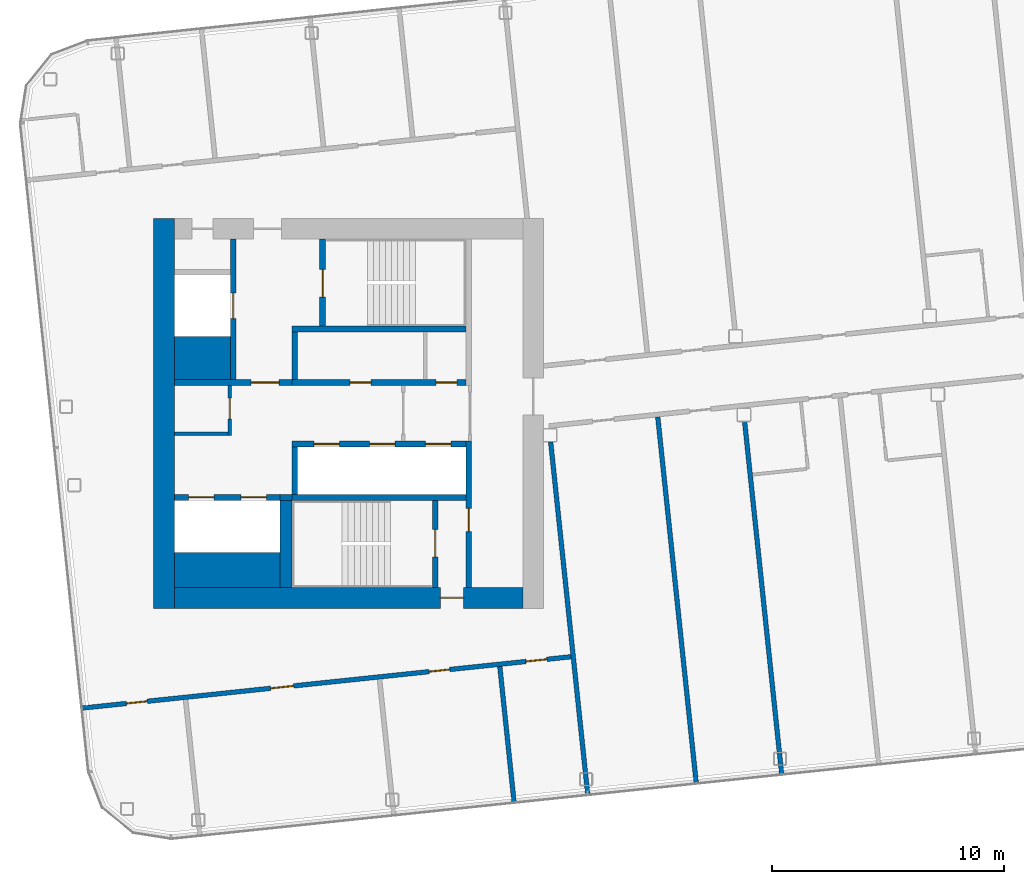
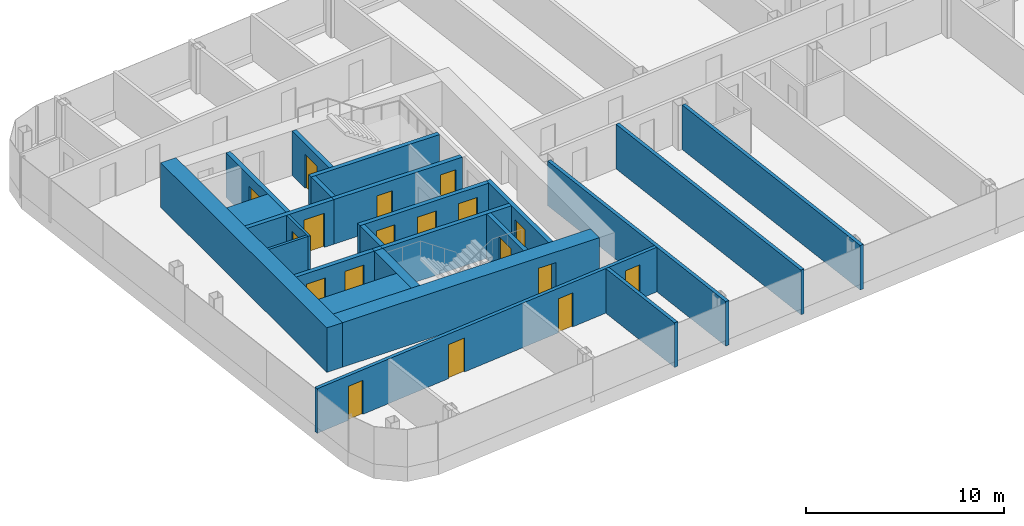
# One storey, part 14 of 27: 25 walls, 18 doors, 18 openings.
"""IFC4 building model written with IfcOpenShell, lengths in metres."""

from ifc_helpers import new_model, si_unit, direction, frame, frame_2d, origin, place, context, subcontext, project, spatial, rectangle, extrude, material, layer, layer_set, type_object, element, fill, save


model = new_model("IFC4")

# Units and contexts
model_context = context("Model", 3, precision=1e-05, world=origin(), true_north=direction((0.0, 1.0)))
body_context = subcontext(model_context, "Body", "Model", "MODEL_VIEW")
ifc_project = project(units=[si_unit("LENGTHUNIT", "METRE"), si_unit("AREAUNIT", "SQUARE_METRE"), si_unit("VOLUMEUNIT", "CUBIC_METRE"), si_unit("PLANEANGLEUNIT", "RADIAN"), si_unit("MASSUNIT", "GRAM", prefix="KILO")], contexts=[model_context])

# Site, building, storey
site_placement = place(None, origin())
site = spatial("IfcSite", under=ifc_project, at=site_placement, CompositionType="ELEMENT")
building_placement = place(site_placement, origin())
building = spatial("IfcBuilding", under=site, at=building_placement, Name="Hakoniwa Tower and Hamabe Station Hall", CompositionType="ELEMENT")
storey_placement = place(building_placement, frame((0.0, 0.0, 242.199951171875)))
storey = spatial("IfcBuildingStorey", under=building, at=storey_placement, Name="L68", CompositionType="ELEMENT", Elevation=242.199951171875)

# Wall, opening, door
ifc_material_1 = material(Name="Gypsum board partition")
ifc_layer_1 = layer(ifc_material_1, 0.14990234375)
ifc_layer_set_1 = layer_set([ifc_layer_1], Name="CORE PARTITION 150 EI 60")
wall_type_1 = type_object("IfcWallType", Name="CORE PARTITION 150 EI 60", PredefinedType="PARTITIONING", material=ifc_layer_set_1)
wall_1_placement = place(storey_placement, frame((-30.324951171875, -0.949951171875, 0.0), z_axis=(0.0, 0.0, 1.0), x_axis=(0.0, 1.0, 0.0)))
wall_1 = element("IfcWall", 1, at=wall_1_placement, inside=storey, type_object=wall_type_1, Name="Core partition PW0 west", PredefinedType="PARTITIONING", context=body_context, shape_type="SweptSolid", body=[
    extrude(rectangle(XDim=2.14990234375, YDim=0.14990234375, at=frame_2d((1.074951171875, 0.0))), origin(), (0.0, 0.0, 1.0), 2.75),
])
opening_1_placement = place(wall_1_placement, frame((0.699951171875, 0.0, 0.0)))
opening_1 = element("IfcOpeningElement", 2, at=opening_1_placement, cuts=wall_1, Name="Opening CD-W-RM1-9", PredefinedType="OPENING", context=body_context, shape_type="SweptSolid", body=[
    extrude(rectangle(XDim=0.89990234375, YDim=2.10009765625, at=frame_2d((0.449951171875, 1.050048828125))), frame((0.0, 0.0849609375, 0.0), z_axis=(0.0, -1.0, 0.0), x_axis=(1.0, 0.0, 0.0)), (0.0, 0.0, 1.0), 0.169921875),
])
ifc_material_2 = material(Name="Steel fire door", Category="steel")
door_type_1 = type_object("IfcDoorType", Name="CORE DOOR 900 FD30", OperationType="NOTDEFINED", PredefinedType="DOOR", material=ifc_material_2)
door_1_placement = place(opening_1_placement, origin())
door_1 = element("IfcDoor", 3, at=door_1_placement, inside=storey, type_object=door_type_1, Name="Store room door", OperationType="SINGLE_SWING_RIGHT", OverallHeight=2.10009765625, OverallWidth=0.89990234375, PredefinedType="DOOR", context=body_context, shape_type="SweptSolid", body=[
    extrude(rectangle(XDim=0.89990234375, YDim=2.10009765625, at=frame_2d((0.449951171875, 1.050048828125))), frame((0.0, 0.02490234375, 0.0), z_axis=(0.0, -1.0, 0.0), x_axis=(1.0, 0.0, 0.0)), (0.0, 0.0, 1.0), 0.050048828125),
])
fill(opening_1, door_1)

# Walls
wall_2_placement = place(storey_placement, frame((-32.699951171875, -0.875, 0.0), z_axis=(0.0, 0.0, 1.0), x_axis=(1.0, 0.0, 0.0)))
element("IfcWall", 4, at=wall_2_placement, inside=storey, type_object=wall_type_1, Name="Core partition PS west", PredefinedType="PARTITIONING", context=body_context, shape_type="SweptSolid", body=[
    extrude(rectangle(XDim=2.300048828125, YDim=0.14990234375, at=frame_2d((1.14990234375, 0.0))), origin(), (0.0, 0.0, 1.0), 2.75),
])
ifc_material_3 = material(Name="Concrete C60", Category="concrete")
ifc_layer_2 = layer(ifc_material_3, 0.89990234375)
ifc_layer_set_2 = layer_set([ifc_layer_2], Name="CORE WALL 900 C60")
wall_type_2 = type_object("IfcWallType", Name="CORE WALL 900 C60", PredefinedType="SHEAR", material=ifc_layer_set_2)
wall_3_placement = place(storey_placement, frame((-33.14990234375, -8.39990234375, 0.0), z_axis=(0.0, 0.0, 1.0), x_axis=(0.0, 1.0, 0.0)))
element("IfcWall", 5, at=wall_3_placement, inside=storey, type_object=wall_type_2, Name="Core wall OUTER west", PredefinedType="SHEAR", context=body_context, shape_type="SweptSolid", body=[
    extrude(rectangle(XDim=16.7998046875, YDim=0.89990234375, at=frame_2d((8.39990234375, 0.0))), origin(), (0.0, 0.0, 1.0), 2.75),
])

# Wall, opening, door
wall_4_placement = place(storey_placement, frame((-32.699951171875, -7.949951171875, 0.0), z_axis=(0.0, 0.0, 1.0), x_axis=(1.0, 0.0, 0.0)))
wall_4 = element("IfcWall", 6, at=wall_4_placement, inside=storey, type_object=wall_type_2, Name="Core wall SOUTH west", PredefinedType="SHEAR", context=body_context, shape_type="SweptSolid", body=[
    extrude(rectangle(XDim=15.0, YDim=0.89990234375, at=frame_2d((7.5, 0.0))), origin(), (0.0, 0.0, 1.0), 2.75),
])
opening_2_placement = place(wall_4_placement, frame((11.449951171875, 0.0, 0.0)))
opening_2 = element("IfcOpeningElement", 7, at=opening_2_placement, cuts=wall_4, Name="Opening CD-W-FS3-10", PredefinedType="OPENING", context=body_context, shape_type="SweptSolid", body=[
    extrude(rectangle(XDim=1.0, YDim=2.10009765625, at=frame_2d((0.5, 1.050048828125))), frame((0.0, 0.4599609375, 0.0), z_axis=(0.0, -1.0, 0.0), x_axis=(1.0, 0.0, 0.0)), (0.0, 0.0, 1.0), 0.919921875),
])
ifc_material_4 = material(Name="Steel fire door", Category="steel")
door_type_2 = type_object("IfcDoorType", Name="CORE DOOR 1000 FD60", OperationType="NOTDEFINED", PredefinedType="DOOR", material=ifc_material_4)
door_2_placement = place(opening_2_placement, origin())
door_2 = element("IfcDoor", 8, at=door_2_placement, inside=storey, type_object=door_type_2, Name="Stair vestibule door", OperationType="SINGLE_SWING_RIGHT", OverallHeight=2.10009765625, OverallWidth=1.0, PredefinedType="DOOR", context=body_context, shape_type="SweptSolid", body=[
    extrude(rectangle(XDim=1.0, YDim=2.10009765625, at=frame_2d((0.5, 1.050048828125))), frame((0.0, 0.02490234375, 0.0), z_axis=(0.0, -1.0, 0.0), x_axis=(1.0, 0.0, 0.0)), (0.0, 0.0, 1.0), 0.050048828125),
])
fill(opening_2, door_2)

# Walls
ifc_material_5 = material(Name="Concrete C60", Category="concrete")
ifc_layer_3 = layer(ifc_material_5, 1.5)
ifc_layer_set_3 = layer_set([ifc_layer_3], Name="CORE WEB WALL 1500 C60")
wall_type_3 = type_object("IfcWallType", Name="CORE WEB WALL 1500 C60", PredefinedType="SHEAR", material=ifc_layer_set_3)
wall_5_placement = place(storey_placement, frame((-32.699951171875, -6.75, 0.0), z_axis=(0.0, 0.0, 1.0), x_axis=(1.0, 0.0, 0.0)))
element("IfcWall", 9, at=wall_5_placement, inside=storey, type_object=wall_type_3, Name="Core wall SER west", PredefinedType="SHEAR", context=body_context, shape_type="SweptSolid", body=[
    extrude(rectangle(XDim=4.550048828125, YDim=1.5, at=frame_2d((2.27490234375, 0.0))), origin(), (0.0, 0.0, 1.0), 2.75),
])
ifc_material_6 = material(Name="Concrete C60", Category="concrete")
ifc_layer_4 = layer(ifc_material_6, 1.85009765625)
ifc_layer_set_4 = layer_set([ifc_layer_4], Name="CORE WEB WALL 1850 C60")
wall_type_4 = type_object("IfcWallType", Name="CORE WEB WALL 1850 C60", PredefinedType="SHEAR", material=ifc_layer_set_4)
wall_6_placement = place(storey_placement, frame((-32.699951171875, 2.375, 0.0), z_axis=(0.0, 0.0, 1.0), x_axis=(1.0, 0.0, 0.0)))
element("IfcWall", 10, at=wall_6_placement, inside=storey, type_object=wall_type_4, Name="Core wall CA west", PredefinedType="SHEAR", context=body_context, shape_type="SweptSolid", body=[
    extrude(rectangle(XDim=2.39990234375, YDim=1.85009765625, at=frame_2d((1.199951171875, 0.0))), origin(), (0.0, 0.0, 1.0), 2.75),
])

# Wall, opening, door
ifc_material_7 = material(Name="Concrete C60", Category="concrete")
ifc_layer_5 = layer(ifc_material_7, 0.25)
ifc_layer_set_5 = layer_set([ifc_layer_5], Name="CORE WEB WALL 250 C60")
wall_type_5 = type_object("IfcWallType", Name="CORE WEB WALL 250 C60", PredefinedType="SHEAR", material=ifc_layer_set_5)
wall_7_placement = place(storey_placement, frame((-20.02490234375, -7.5, 0.0), z_axis=(0.0, 0.0, 1.0), x_axis=(0.0, 1.0, 0.0)))
wall_7 = element("IfcWall", 11, at=wall_7_placement, inside=storey, type_object=wall_type_5, Name="Core wall W1S west", PredefinedType="SHEAR", context=body_context, shape_type="SweptSolid", body=[
    extrude(rectangle(XDim=6.300048828125, YDim=0.25, at=frame_2d((3.14990234375, 0.0))), origin(), (0.0, 0.0, 1.0), 2.75),
])
opening_3_placement = place(wall_7_placement, frame((2.39990234375, 0.0, 0.0)))
opening_3 = element("IfcOpeningElement", 12, at=opening_3_placement, cuts=wall_7, Name="Opening CD-W-VS-10", PredefinedType="OPENING", context=body_context, shape_type="SweptSolid", body=[
    extrude(rectangle(XDim=1.0, YDim=2.10009765625, at=frame_2d((0.5, 1.050048828125))), frame((0.0, 0.135009765625, 0.0), z_axis=(0.0, -1.0, 0.0), x_axis=(1.0, 0.0, 0.0)), (0.0, 0.0, 1.0), 0.27001953125),
])
door_3_placement = place(opening_3_placement, origin())
door_3 = element("IfcDoor", 13, at=door_3_placement, inside=storey, type_object=door_type_2, Name="Stair vestibule door", OperationType="SINGLE_SWING_LEFT", OverallHeight=2.10009765625, OverallWidth=1.0, PredefinedType="DOOR", context=body_context, shape_type="SweptSolid", body=[
    extrude(rectangle(XDim=1.0, YDim=2.10009765625, at=frame_2d((0.5, 1.050048828125))), frame((0.0, 0.02490234375, 0.0), z_axis=(0.0, -1.0, 0.0), x_axis=(1.0, 0.0, 0.0)), (0.0, 0.0, 1.0), 0.050048828125),
])
fill(opening_3, door_3)

# Wall, openings, doors
wall_8_placement = place(storey_placement, frame((-27.64990234375, 1.324951171875, 0.0), z_axis=(0.0, 0.0, 1.0), x_axis=(1.0, 0.0, 0.0)))
wall_8 = element("IfcWall", 14, at=wall_8_placement, inside=storey, type_object=wall_type_5, Name="Core wall NF west", PredefinedType="SHEAR", context=body_context, shape_type="SweptSolid", body=[
    extrude(rectangle(XDim=7.5, YDim=0.25, at=frame_2d((3.75, 0.0))), origin(), (0.0, 0.0, 1.0), 2.75),
])
opening_4_placement = place(wall_8_placement, frame((6.21240234375, 0.0, 0.0)))
opening_4 = element("IfcOpeningElement", 15, at=opening_4_placement, cuts=wall_8, Name="Opening CD-W-FRLR0-9", PredefinedType="OPENING", context=body_context, shape_type="SweptSolid", body=[
    extrude(rectangle(XDim=0.89990234375, YDim=2.10009765625, at=frame_2d((0.449951171875, 1.050048828125))), frame((0.0, 0.135009765625, 0.0), z_axis=(0.0, -1.0, 0.0), x_axis=(1.0, 0.0, 0.0)), (0.0, 0.0, 1.0), 0.27001953125),
])
opening_5_placement = place(wall_8_placement, frame((2.512451171875, 0.0, 0.0)))
opening_5 = element("IfcOpeningElement", 16, at=opening_5_placement, cuts=wall_8, Name="Opening CD-W-FRLR1-9", PredefinedType="OPENING", context=body_context, shape_type="SweptSolid", body=[
    extrude(rectangle(XDim=0.89990234375, YDim=2.10009765625, at=frame_2d((0.449951171875, 1.050048828125))), frame((0.0, 0.135009765625, 0.0), z_axis=(0.0, -1.0, 0.0), x_axis=(1.0, 0.0, 0.0)), (0.0, 0.0, 1.0), 0.27001953125),
])
door_4_placement = place(opening_4_placement, origin())
door_4 = element("IfcDoor", 17, at=door_4_placement, inside=storey, type_object=door_type_1, Name="Store room door", OperationType="SINGLE_SWING_RIGHT", OverallHeight=2.10009765625, OverallWidth=0.89990234375, PredefinedType="DOOR", context=body_context, shape_type="SweptSolid", body=[
    extrude(rectangle(XDim=0.89990234375, YDim=2.10009765625, at=frame_2d((0.449951171875, 1.050048828125))), frame((0.0, 0.02490234375, 0.0), z_axis=(0.0, -1.0, 0.0), x_axis=(1.0, 0.0, 0.0)), (0.0, 0.0, 1.0), 0.050048828125),
])
fill(opening_4, door_4)
door_5_placement = place(opening_5_placement, origin())
door_5 = element("IfcDoor", 18, at=door_5_placement, inside=storey, type_object=door_type_1, Name="Store room door", OperationType="SINGLE_SWING_LEFT", OverallHeight=2.10009765625, OverallWidth=0.89990234375, PredefinedType="DOOR", context=body_context, shape_type="SweptSolid", body=[
    extrude(rectangle(XDim=0.89990234375, YDim=2.10009765625, at=frame_2d((0.449951171875, 1.050048828125))), frame((0.0, 0.02490234375, 0.0), z_axis=(0.0, -1.0, 0.0), x_axis=(1.0, 0.0, 0.0)), (0.0, 0.0, 1.0), 0.050048828125),
])
fill(opening_5, door_5)

# Walls
wall_9_placement = place(storey_placement, frame((-27.52490234375, 1.449951171875, 0.0), z_axis=(0.0, 0.0, 1.0), x_axis=(0.0, 1.0, 0.0)))
element("IfcWall", 19, at=wall_9_placement, inside=storey, type_object=wall_type_5, Name="Core wall NE west", PredefinedType="SHEAR", context=body_context, shape_type="SweptSolid", body=[
    extrude(rectangle(XDim=2.050048828125, YDim=0.25, at=frame_2d((1.02490234375, 0.0))), origin(), (0.0, 0.0, 1.0), 2.75),
])
wall_10_placement = place(storey_placement, frame((-27.64990234375, 3.625, 0.0), z_axis=(0.0, 0.0, 1.0), x_axis=(1.0, 0.0, 0.0)))
element("IfcWall", 20, at=wall_10_placement, inside=storey, type_object=wall_type_5, Name="Core wall NR west", PredefinedType="SHEAR", context=body_context, shape_type="SweptSolid", body=[
    extrude(rectangle(XDim=7.5, YDim=0.25, at=frame_2d((3.75, 0.0))), origin(), (0.0, 0.0, 1.0), 2.75),
])

# Wall, opening, door
wall_11_placement = place(storey_placement, frame((-26.324951171875, 3.75, 0.0), z_axis=(0.0, 0.0, 1.0), x_axis=(0.0, 1.0, 0.0)))
wall_11 = element("IfcWall", 21, at=wall_11_placement, inside=storey, type_object=wall_type_5, Name="Core wall NSE west", PredefinedType="SHEAR", context=body_context, shape_type="SweptSolid", body=[
    extrude(rectangle(XDim=3.75, YDim=0.25, at=frame_2d((1.875, 0.0))), origin(), (0.0, 0.0, 1.0), 2.75),
])
opening_6_placement = place(wall_11_placement, frame((1.25, 0.0, 0.0)))
opening_6 = element("IfcOpeningElement", 22, at=opening_6_placement, cuts=wall_11, Name="Opening CD-W-SN-12", PredefinedType="OPENING", context=body_context, shape_type="SweptSolid", body=[
    extrude(rectangle(XDim=1.199951171875, YDim=2.10009765625, at=frame_2d((0.60009765625, 1.050048828125))), frame((0.0, 0.135009765625, 0.0), z_axis=(0.0, -1.0, 0.0), x_axis=(1.0, 0.0, 0.0)), (0.0, 0.0, 1.0), 0.27001953125),
])
ifc_material_8 = material(Name="Steel fire door", Category="steel")
door_type_3 = type_object("IfcDoorType", Name="CORE DOOR 1200 FD60", OperationType="DOUBLE_DOOR_SINGLE_SWING", PredefinedType="DOOR", material=ifc_material_8)
door_6_placement = place(opening_6_placement, origin())
door_6 = element("IfcDoor", 23, at=door_6_placement, inside=storey, type_object=door_type_3, Name="Escape stair door", OperationType="DOUBLE_DOOR_SINGLE_SWING", OverallHeight=2.10009765625, OverallWidth=1.199951171875, PredefinedType="DOOR", context=body_context, shape_type="SweptSolid", body=[
    extrude(rectangle(XDim=1.199951171875, YDim=2.10009765625, at=frame_2d((0.60009765625, 1.050048828125))), frame((0.0, 0.02490234375, 0.0), z_axis=(0.0, -1.0, 0.0), x_axis=(1.0, 0.0, 0.0)), (0.0, 0.0, 1.0), 0.050048828125),
])
fill(opening_6, door_6)

wall_12_placement = place(storey_placement, frame((-32.699951171875, 1.324951171875, 0.0), z_axis=(0.0, 0.0, 1.0), x_axis=(1.0, 0.0, 0.0)))
wall_12 = element("IfcWall", 24, at=wall_12_placement, inside=storey, type_object=wall_type_5, Name="Core wall ELN west", PredefinedType="SHEAR", context=body_context, shape_type="SweptSolid", body=[
    extrude(rectangle(XDim=5.050048828125, YDim=0.25, at=frame_2d((2.52490234375, 0.0))), origin(), (0.0, 0.0, 1.0), 2.75),
])
opening_7_placement = place(wall_12_placement, frame((3.300048828125, 0.0, 0.0)))
opening_7 = element("IfcOpeningElement", 25, at=opening_7_placement, cuts=wall_12, Name="Opening CD-W-FL-12", PredefinedType="OPENING", context=body_context, shape_type="SweptSolid", body=[
    extrude(rectangle(XDim=1.199951171875, YDim=2.10009765625, at=frame_2d((0.60009765625, 1.050048828125))), frame((0.0, 0.135009765625, 0.0), z_axis=(0.0, -1.0, 0.0), x_axis=(1.0, 0.0, 0.0)), (0.0, 0.0, 1.0), 0.27001953125),
])
door_7_placement = place(opening_7_placement, origin())
door_7 = element("IfcDoor", 26, at=door_7_placement, inside=storey, type_object=door_type_3, Name="Stair vestibule door to the fire-fighting lobby", OperationType="DOUBLE_DOOR_SINGLE_SWING", OverallHeight=2.10009765625, OverallWidth=1.199951171875, PredefinedType="DOOR", context=body_context, shape_type="SweptSolid", body=[
    extrude(rectangle(XDim=1.199951171875, YDim=2.10009765625, at=frame_2d((0.60009765625, 1.050048828125))), frame((0.0, 0.02490234375, 0.0), z_axis=(0.0, -1.0, 0.0), x_axis=(1.0, 0.0, 0.0)), (0.0, 0.0, 1.0), 0.050048828125),
])
fill(opening_7, door_7)

wall_13_placement = place(storey_placement, frame((-30.175048828125, 1.449951171875, 0.0), z_axis=(0.0, 0.0, 1.0), x_axis=(0.0, 1.0, 0.0)))
wall_13 = element("IfcWall", 27, at=wall_13_placement, inside=storey, type_object=wall_type_5, Name="Core wall FFF west", PredefinedType="SHEAR", context=body_context, shape_type="SweptSolid", body=[
    extrude(rectangle(XDim=6.050048828125, YDim=0.25, at=frame_2d((3.02490234375, 0.0))), origin(), (0.0, 0.0, 1.0), 2.75),
])
opening_8_placement = place(wall_13_placement, frame((2.625, 0.0, 0.0)))
opening_8 = element("IfcOpeningElement", 28, at=opening_8_placement, cuts=wall_13, Name="Opening LD-FF1", PredefinedType="OPENING", context=body_context, shape_type="SweptSolid", body=[
    extrude(rectangle(XDim=1.10009765625, YDim=2.10009765625, at=frame_2d((0.550048828125, 1.050048828125))), frame((0.0, 0.135009765625, 0.0), z_axis=(0.0, -1.0, 0.0), x_axis=(1.0, 0.0, 0.0)), (0.0, 0.0, 1.0), 0.27001953125),
])
ifc_material_9 = material(Name="Stainless steel SUS304", Category="steel")
door_type_4 = type_object("IfcDoorType", Name="LIFT LANDING DOOR 1100 FD60", OperationType="DOUBLE_DOOR_SLIDING", PredefinedType="DOOR", material=ifc_material_9)
door_8_placement = place(opening_8_placement, origin())
door_8 = element("IfcDoor", 29, at=door_8_placement, inside=storey, type_object=door_type_4, Name="Lift landing door FF1 L68", OperationType="DOUBLE_DOOR_SLIDING", OverallHeight=2.10009765625, OverallWidth=1.10009765625, PredefinedType="DOOR", context=body_context, shape_type="SweptSolid", body=[
    extrude(rectangle(XDim=1.10009765625, YDim=2.10009765625, at=frame_2d((0.550048828125, 1.050048828125))), frame((0.0, 0.02490234375, 0.0), z_axis=(0.0, -1.0, 0.0), x_axis=(1.0, 0.0, 0.0)), (0.0, 0.0, 1.0), 0.050048828125),
])
fill(opening_8, door_8)

# Wall, openings, doors
wall_14_placement = place(storey_placement, frame((-27.64990234375, -1.324951171875, 0.0), z_axis=(0.0, 0.0, 1.0), x_axis=(1.0, 0.0, 0.0)))
wall_14 = element("IfcWall", 30, at=wall_14_placement, inside=storey, type_object=wall_type_5, Name="Core wall SF west", PredefinedType="SHEAR", context=body_context, shape_type="SweptSolid", body=[
    extrude(rectangle(XDim=7.5, YDim=0.25, at=frame_2d((3.75, 0.0))), origin(), (0.0, 0.0, 1.0), 2.75),
])
opening_9_placement = place(wall_14_placement, frame((5.75, 0.0, 0.0)))
opening_9 = element("IfcOpeningElement", 31, at=opening_9_placement, cuts=wall_14, Name="Opening LD-HR1", PredefinedType="OPENING", context=body_context, shape_type="SweptSolid", body=[
    extrude(rectangle(XDim=1.10009765625, YDim=2.10009765625, at=frame_2d((0.550048828125, 1.050048828125))), frame((0.0, 0.135009765625, 0.0), z_axis=(0.0, -1.0, 0.0), x_axis=(1.0, 0.0, 0.0)), (0.0, 0.0, 1.0), 0.27001953125),
])
opening_10_placement = place(wall_14_placement, frame((3.35009765625, 0.0, 0.0)))
opening_10 = element("IfcOpeningElement", 32, at=opening_10_placement, cuts=wall_14, Name="Opening LD-HR2", PredefinedType="OPENING", context=body_context, shape_type="SweptSolid", body=[
    extrude(rectangle(XDim=1.10009765625, YDim=2.10009765625, at=frame_2d((0.550048828125, 1.050048828125))), frame((0.0, 0.135009765625, 0.0), z_axis=(0.0, -1.0, 0.0), x_axis=(1.0, 0.0, 0.0)), (0.0, 0.0, 1.0), 0.27001953125),
])
opening_11_placement = place(wall_14_placement, frame((0.949951171875, 0.0, 0.0)))
opening_11 = element("IfcOpeningElement", 33, at=opening_11_placement, cuts=wall_14, Name="Opening LD-HR3", PredefinedType="OPENING", context=body_context, shape_type="SweptSolid", body=[
    extrude(rectangle(XDim=1.10009765625, YDim=2.10009765625, at=frame_2d((0.550048828125, 1.050048828125))), frame((0.0, 0.135009765625, 0.0), z_axis=(0.0, -1.0, 0.0), x_axis=(1.0, 0.0, 0.0)), (0.0, 0.0, 1.0), 0.27001953125),
])
door_9_placement = place(opening_9_placement, origin())
door_9 = element("IfcDoor", 34, at=door_9_placement, inside=storey, type_object=door_type_4, Name="Lift landing door HR1 L68", OperationType="DOUBLE_DOOR_SLIDING", OverallHeight=2.10009765625, OverallWidth=1.10009765625, PredefinedType="DOOR", context=body_context, shape_type="SweptSolid", body=[
    extrude(rectangle(XDim=1.10009765625, YDim=2.10009765625, at=frame_2d((0.550048828125, 1.050048828125))), frame((0.0, 0.02490234375, 0.0), z_axis=(0.0, -1.0, 0.0), x_axis=(1.0, 0.0, 0.0)), (0.0, 0.0, 1.0), 0.050048828125),
])
fill(opening_9, door_9)
door_10_placement = place(opening_10_placement, origin())
door_10 = element("IfcDoor", 35, at=door_10_placement, inside=storey, type_object=door_type_4, Name="Lift landing door HR2 L68", OperationType="DOUBLE_DOOR_SLIDING", OverallHeight=2.10009765625, OverallWidth=1.10009765625, PredefinedType="DOOR", context=body_context, shape_type="SweptSolid", body=[
    extrude(rectangle(XDim=1.10009765625, YDim=2.10009765625, at=frame_2d((0.550048828125, 1.050048828125))), frame((0.0, 0.02490234375, 0.0), z_axis=(0.0, -1.0, 0.0), x_axis=(1.0, 0.0, 0.0)), (0.0, 0.0, 1.0), 0.050048828125),
])
fill(opening_10, door_10)
door_11_placement = place(opening_11_placement, origin())
door_11 = element("IfcDoor", 36, at=door_11_placement, inside=storey, type_object=door_type_4, Name="Lift landing door HR3 L68", OperationType="DOUBLE_DOOR_SLIDING", OverallHeight=2.10009765625, OverallWidth=1.10009765625, PredefinedType="DOOR", context=body_context, shape_type="SweptSolid", body=[
    extrude(rectangle(XDim=1.10009765625, YDim=2.10009765625, at=frame_2d((0.550048828125, 1.050048828125))), frame((0.0, 0.02490234375, 0.0), z_axis=(0.0, -1.0, 0.0), x_axis=(1.0, 0.0, 0.0)), (0.0, 0.0, 1.0), 0.050048828125),
])
fill(opening_11, door_11)

# Walls
wall_15_placement = place(storey_placement, frame((-27.52490234375, -3.5, 0.0), z_axis=(0.0, 0.0, 1.0), x_axis=(0.0, 1.0, 0.0)))
element("IfcWall", 37, at=wall_15_placement, inside=storey, type_object=wall_type_5, Name="Core wall SE west", PredefinedType="SHEAR", context=body_context, shape_type="SweptSolid", body=[
    extrude(rectangle(XDim=2.050048828125, YDim=0.25, at=frame_2d((1.02490234375, 0.0))), origin(), (0.0, 0.0, 1.0), 2.75),
])
wall_16_placement = place(storey_placement, frame((-27.64990234375, -3.625, 0.0), z_axis=(0.0, 0.0, 1.0), x_axis=(1.0, 0.0, 0.0)))
element("IfcWall", 38, at=wall_16_placement, inside=storey, type_object=wall_type_5, Name="Core wall SR west", PredefinedType="SHEAR", context=body_context, shape_type="SweptSolid", body=[
    extrude(rectangle(XDim=7.5, YDim=0.25, at=frame_2d((3.75, 0.0))), origin(), (0.0, 0.0, 1.0), 2.75),
])

# Wall, opening, door
wall_17_placement = place(storey_placement, frame((-21.47509765625, -7.5, 0.0), z_axis=(0.0, 0.0, 1.0), x_axis=(0.0, 1.0, 0.0)))
wall_17 = element("IfcWall", 39, at=wall_17_placement, inside=storey, type_object=wall_type_5, Name="Core wall VE west", PredefinedType="SHEAR", context=body_context, shape_type="SweptSolid", body=[
    extrude(rectangle(XDim=3.75, YDim=0.25, at=frame_2d((1.875, 0.0))), origin(), (0.0, 0.0, 1.0), 2.75),
])
opening_12_placement = place(wall_17_placement, frame((1.300048828125, 0.0, 0.0)))
opening_12 = element("IfcOpeningElement", 40, at=opening_12_placement, cuts=wall_17, Name="Opening CD-W-SS-12", PredefinedType="OPENING", context=body_context, shape_type="SweptSolid", body=[
    extrude(rectangle(XDim=1.199951171875, YDim=2.10009765625, at=frame_2d((0.60009765625, 1.050048828125))), frame((0.0, 0.135009765625, 0.0), z_axis=(0.0, -1.0, 0.0), x_axis=(1.0, 0.0, 0.0)), (0.0, 0.0, 1.0), 0.27001953125),
])
door_12_placement = place(opening_12_placement, origin())
door_12 = element("IfcDoor", 41, at=door_12_placement, inside=storey, type_object=door_type_3, Name="Escape stair door", OperationType="DOUBLE_DOOR_SINGLE_SWING", OverallHeight=2.10009765625, OverallWidth=1.199951171875, PredefinedType="DOOR", context=body_context, shape_type="SweptSolid", body=[
    extrude(rectangle(XDim=1.199951171875, YDim=2.10009765625, at=frame_2d((0.60009765625, 1.050048828125))), frame((0.0, 0.02490234375, 0.0), z_axis=(0.0, -1.0, 0.0), x_axis=(1.0, 0.0, 0.0)), (0.0, 0.0, 1.0), 0.050048828125),
])
fill(opening_12, door_12)

# Wall, openings, doors
wall_18_placement = place(storey_placement, frame((-32.699951171875, -3.625, 0.0), z_axis=(0.0, 0.0, 1.0), x_axis=(1.0, 0.0, 0.0)))
wall_18 = element("IfcWall", 42, at=wall_18_placement, inside=storey, type_object=wall_type_5, Name="Core wall SEF west", PredefinedType="SHEAR", context=body_context, shape_type="SweptSolid", body=[
    extrude(rectangle(XDim=4.550048828125, YDim=0.25, at=frame_2d((2.27490234375, 0.0))), origin(), (0.0, 0.0, 1.0), 2.75),
])
opening_13_placement = place(wall_18_placement, frame((2.85009765625, 0.0, 0.0)))
opening_13 = element("IfcOpeningElement", 43, at=opening_13_placement, cuts=wall_18, Name="Opening LD-SV1", PredefinedType="OPENING", context=body_context, shape_type="SweptSolid", body=[
    extrude(rectangle(XDim=1.10009765625, YDim=2.10009765625, at=frame_2d((0.550048828125, 1.050048828125))), frame((0.0, 0.135009765625, 0.0), z_axis=(0.0, -1.0, 0.0), x_axis=(1.0, 0.0, 0.0)), (0.0, 0.0, 1.0), 0.27001953125),
])
opening_14_placement = place(wall_18_placement, frame((0.60009765625, 0.0, 0.0)))
opening_14 = element("IfcOpeningElement", 44, at=opening_14_placement, cuts=wall_18, Name="Opening LD-SV2", PredefinedType="OPENING", context=body_context, shape_type="SweptSolid", body=[
    extrude(rectangle(XDim=1.10009765625, YDim=2.10009765625, at=frame_2d((0.550048828125, 1.050048828125))), frame((0.0, 0.135009765625, 0.0), z_axis=(0.0, -1.0, 0.0), x_axis=(1.0, 0.0, 0.0)), (0.0, 0.0, 1.0), 0.27001953125),
])
door_13_placement = place(opening_13_placement, origin())
door_13 = element("IfcDoor", 45, at=door_13_placement, inside=storey, type_object=door_type_4, Name="Lift landing door SV1 L68", OperationType="DOUBLE_DOOR_SLIDING", OverallHeight=2.10009765625, OverallWidth=1.10009765625, PredefinedType="DOOR", context=body_context, shape_type="SweptSolid", body=[
    extrude(rectangle(XDim=1.10009765625, YDim=2.10009765625, at=frame_2d((0.550048828125, 1.050048828125))), frame((0.0, 0.02490234375, 0.0), z_axis=(0.0, -1.0, 0.0), x_axis=(1.0, 0.0, 0.0)), (0.0, 0.0, 1.0), 0.050048828125),
])
fill(opening_13, door_13)
door_14_placement = place(opening_14_placement, origin())
door_14 = element("IfcDoor", 46, at=door_14_placement, inside=storey, type_object=door_type_4, Name="Lift landing door SV2 L68", OperationType="DOUBLE_DOOR_SLIDING", OverallHeight=2.10009765625, OverallWidth=1.10009765625, PredefinedType="DOOR", context=body_context, shape_type="SweptSolid", body=[
    extrude(rectangle(XDim=1.10009765625, YDim=2.10009765625, at=frame_2d((0.550048828125, 1.050048828125))), frame((0.0, 0.02490234375, 0.0), z_axis=(0.0, -1.0, 0.0), x_axis=(1.0, 0.0, 0.0)), (0.0, 0.0, 1.0), 0.050048828125),
])
fill(opening_14, door_14)

# Walls
wall_19_placement = place(storey_placement, frame((-28.14990234375, -3.625, 0.0), z_axis=(0.0, 0.0, 1.0), x_axis=(1.0, 0.0, 0.0)))
element("IfcWall", 47, at=wall_19_placement, inside=storey, type_object=wall_type_5, Name="Core wall SRK west", PredefinedType="SHEAR", context=body_context, shape_type="SweptSolid", body=[
    extrude(rectangle(XDim=0.5, YDim=0.25, at=frame_2d((0.25, 0.0))), origin(), (0.0, 0.0, 1.0), 2.75),
])
ifc_material_10 = material(Name="Concrete C60", Category="concrete")
ifc_layer_6 = layer(ifc_material_10, 0.5)
ifc_layer_set_6 = layer_set([ifc_layer_6], Name="CORE WEB WALL 500 C60")
wall_type_6 = type_object("IfcWallType", Name="CORE WEB WALL 500 C60", PredefinedType="SHEAR", material=ifc_layer_set_6)
wall_20_placement = place(storey_placement, frame((-27.89990234375, -7.5, 0.0), z_axis=(0.0, 0.0, 1.0), x_axis=(0.0, 1.0, 0.0)))
element("IfcWall", 48, at=wall_20_placement, inside=storey, type_object=wall_type_6, Name="Core wall SSE west", PredefinedType="SHEAR", context=body_context, shape_type="SweptSolid", body=[
    extrude(rectangle(XDim=3.75, YDim=0.5, at=frame_2d((1.875, 0.0))), origin(), (0.0, 0.0, 1.0), 2.75),
])

# Wall, openings, doors
ifc_material_11 = material(Name="Fire-rated gypsum board partition", Category="gypsum")
ifc_layer_7 = layer(ifc_material_11, 0.199951171875)
ifc_layer_set_7 = layer_set([ifc_layer_7], Name="Corridor Wall 200")
wall_type_7 = type_object("IfcWallType", Name="Corridor Wall 200", PredefinedType="PARTITIONING", material=ifc_layer_set_7)
wall_21_placement = place(storey_placement, frame((-36.711669921875, -12.704833984375, 0.0), z_axis=(0.0, 0.0, 1.0), x_axis=(0.994522460242, 0.104523088709, 0.0)))
wall_21 = element("IfcWall", 49, at=wall_21_placement, inside=storey, type_object=wall_type_7, Name="GW-L68-002", PredefinedType="PARTITIONING", context=body_context, shape_type="SweptSolid", body=[
    extrude(rectangle(XDim=21.2998046875, YDim=0.199951171875, at=frame_2d((10.64990234375, 0.0))), origin(), (0.0, 0.0, 1.0), 2.75),
])
opening_15_placement = place(wall_21_placement, frame((1.949951171875, 0.0, 0.0)))
opening_15 = element("IfcOpeningElement", 50, at=opening_15_placement, cuts=wall_21, Name="Opening GD-G5B0-01", PredefinedType="OPENING", context=body_context, shape_type="SweptSolid", body=[
    extrude(rectangle(XDim=0.89990234375, YDim=2.10009765625, at=frame_2d((0.449951171875, 1.050048828125))), frame((0.0, 0.10986328125, 0.0), z_axis=(0.0, -1.0, 0.0), x_axis=(1.0, 0.0, 0.0)), (0.0, 0.0, 1.0), 0.219970703125),
])
opening_16_placement = place(wall_21_placement, frame((8.199951171875, 0.0, 0.0)))
opening_16 = element("IfcOpeningElement", 51, at=opening_16_placement, cuts=wall_21, Name="Opening GD-G5B0-02", PredefinedType="OPENING", context=body_context, shape_type="SweptSolid", body=[
    extrude(rectangle(XDim=1.0, YDim=2.10009765625, at=frame_2d((0.5, 1.050048828125))), frame((0.0, 0.10986328125, 0.0), z_axis=(0.0, -1.0, 0.0), x_axis=(1.0, 0.0, 0.0)), (0.0, 0.0, 1.0), 0.219970703125),
])
opening_17_placement = place(wall_21_placement, frame((15.054931640625, 0.0, 0.0)))
opening_17 = element("IfcOpeningElement", 52, at=opening_17_placement, cuts=wall_21, Name="Opening GD-G5B0-03", PredefinedType="OPENING", context=body_context, shape_type="SweptSolid", body=[
    extrude(rectangle(XDim=0.89990234375, YDim=2.10009765625, at=frame_2d((0.449951171875, 1.050048828125))), frame((0.0, 0.10986328125, 0.0), z_axis=(0.0, -1.0, 0.0), x_axis=(1.0, 0.0, 0.0)), (0.0, 0.0, 1.0), 0.219970703125),
])
opening_18_placement = place(wall_21_placement, frame((19.2548828125, 0.0, 0.0)))
opening_18 = element("IfcOpeningElement", 53, at=opening_18_placement, cuts=wall_21, Name="Opening GD-G5B0-04", PredefinedType="OPENING", context=body_context, shape_type="SweptSolid", body=[
    extrude(rectangle(XDim=0.89990234375, YDim=2.10009765625, at=frame_2d((0.449951171875, 1.050048828125))), frame((0.0, 0.10986328125, 0.0), z_axis=(0.0, -1.0, 0.0), x_axis=(1.0, 0.0, 0.0)), (0.0, 0.0, 1.0), 0.219970703125),
])
ifc_material_12 = material(Name="Timber door leaf", Category="wood")
door_type_5 = type_object("IfcDoorType", Name="Guest Entrance Door 1000", OperationType="SINGLE_SWING_LEFT", PredefinedType="DOOR", material=ifc_material_12)
door_15_placement = place(opening_16_placement, origin())
door_15 = element("IfcDoor", 54, at=door_15_placement, inside=storey, type_object=door_type_5, Name="Door GD-G5B0-02", OperationType="SINGLE_SWING_RIGHT", OverallHeight=2.10009765625, OverallWidth=1.0, PredefinedType="DOOR", context=body_context, shape_type="SweptSolid", body=[
    extrude(rectangle(XDim=1.0, YDim=2.10009765625, at=frame_2d((0.5, 1.050048828125))), frame((0.0, 0.02490234375, 0.0), z_axis=(0.0, -1.0, 0.0), x_axis=(1.0, 0.0, 0.0)), (0.0, 0.0, 1.0), 0.050048828125),
])
fill(opening_16, door_15)
ifc_material_13 = material(Name="Timber door leaf", Category="wood")
door_type_6 = type_object("IfcDoorType", Name="Service Door 900", OperationType="SINGLE_SWING_LEFT", PredefinedType="DOOR", material=ifc_material_13)
door_16_placement = place(opening_15_placement, origin())
door_16 = element("IfcDoor", 55, at=door_16_placement, inside=storey, type_object=door_type_6, Name="Door GD-G5B0-01", OperationType="SINGLE_SWING_RIGHT", OverallHeight=2.10009765625, OverallWidth=0.89990234375, PredefinedType="DOOR", context=body_context, shape_type="SweptSolid", body=[
    extrude(rectangle(XDim=0.89990234375, YDim=2.10009765625, at=frame_2d((0.449951171875, 1.050048828125))), frame((0.0, 0.02490234375, 0.0), z_axis=(0.0, -1.0, 0.0), x_axis=(1.0, 0.0, 0.0)), (0.0, 0.0, 1.0), 0.050048828125),
])
fill(opening_15, door_16)
door_17_placement = place(opening_17_placement, origin())
door_17 = element("IfcDoor", 56, at=door_17_placement, inside=storey, type_object=door_type_6, Name="Door GD-G5B0-03", OperationType="SINGLE_SWING_LEFT", OverallHeight=2.10009765625, OverallWidth=0.89990234375, PredefinedType="DOOR", context=body_context, shape_type="SweptSolid", body=[
    extrude(rectangle(XDim=0.89990234375, YDim=2.10009765625, at=frame_2d((0.449951171875, 1.050048828125))), frame((0.0, 0.02490234375, 0.0), z_axis=(0.0, -1.0, 0.0), x_axis=(1.0, 0.0, 0.0)), (0.0, 0.0, 1.0), 0.050048828125),
])
fill(opening_17, door_17)
door_18_placement = place(opening_18_placement, origin())
door_18 = element("IfcDoor", 57, at=door_18_placement, inside=storey, type_object=door_type_6, Name="Door GD-G5B0-04", OperationType="SINGLE_SWING_RIGHT", OverallHeight=2.10009765625, OverallWidth=0.89990234375, PredefinedType="DOOR", context=body_context, shape_type="SweptSolid", body=[
    extrude(rectangle(XDim=0.89990234375, YDim=2.10009765625, at=frame_2d((0.449951171875, 1.050048828125))), frame((0.0, 0.02490234375, 0.0), z_axis=(0.0, -1.0, 0.0), x_axis=(1.0, 0.0, 0.0)), (0.0, 0.0, 1.0), 0.050048828125),
])
fill(opening_18, door_18)

# Walls
ifc_material_14 = material(Name="Fire-rated gypsum board partition", Category="gypsum")
ifc_layer_8 = layer(ifc_material_14, 0.199951171875)
ifc_layer_set_8 = layer_set([ifc_layer_8], Name="Party Wall 200")
wall_type_8 = type_object("IfcWallType", Name="Party Wall 200", PredefinedType="PARTITIONING", material=ifc_layer_set_8)
wall_22_placement = place(storey_placement, frame((-18.072265625, -16.794677734375, 0.0), z_axis=(0.0, 0.0, 1.0), x_axis=(-0.10449573194, 0.994525335025, 0.0)))
element("IfcWall", 58, at=wall_22_placement, inside=storey, type_object=wall_type_8, Name="GW-L68-021", PredefinedType="PARTITIONING", context=body_context, shape_type="SweptSolid", body=[
    extrude(rectangle(XDim=5.915771484375, YDim=0.199951171875, at=frame_2d((2.9580078125, 0.0))), origin(), (0.0, 0.0, 1.0), 2.75),
])
wall_23_placement = place(storey_placement, frame((-14.899658203125, -16.46142578125, 0.0), z_axis=(0.0, 0.0, 1.0), x_axis=(-0.104523729364, 0.99452239291, 0.0)))
element("IfcWall", 59, at=wall_23_placement, inside=storey, type_object=wall_type_8, Name="GW-L68-022", PredefinedType="PARTITIONING", context=body_context, shape_type="SweptSolid", body=[
    extrude(rectangle(XDim=15.308349609375, YDim=0.199951171875, at=frame_2d((7.654296875, 0.0))), origin(), (0.0, 0.0, 1.0), 2.75),
])
wall_24_placement = place(storey_placement, frame((-10.225341796875, -15.969970703125, 0.0), z_axis=(0.0, 0.0, 1.0), x_axis=(-0.104536114326, 0.99452109118, 0.0)))
element("IfcWall", 60, at=wall_24_placement, inside=storey, type_object=wall_type_8, Name="GW-L68-025", PredefinedType="PARTITIONING", context=body_context, shape_type="SweptSolid", body=[
    extrude(rectangle(XDim=15.89990234375, YDim=0.199951171875, at=frame_2d((7.949951171875, 0.0))), origin(), (0.0, 0.0, 1.0), 2.75),
])
wall_25_placement = place(storey_placement, frame((-6.545654296875, -15.583251953125, 0.0), z_axis=(0.0, 0.0, 1.0), x_axis=(-0.104523729364, 0.99452239291, 0.0)))
element("IfcWall", 61, at=wall_25_placement, inside=storey, type_object=wall_type_8, Name="GW-L68-026", PredefinedType="PARTITIONING", context=body_context, shape_type="SweptSolid", body=[
    extrude(rectangle(XDim=15.308349609375, YDim=0.199951171875, at=frame_2d((7.654296875, 0.0))), origin(), (0.0, 0.0, 1.0), 2.75),
])

save(model, "model.ifc")
